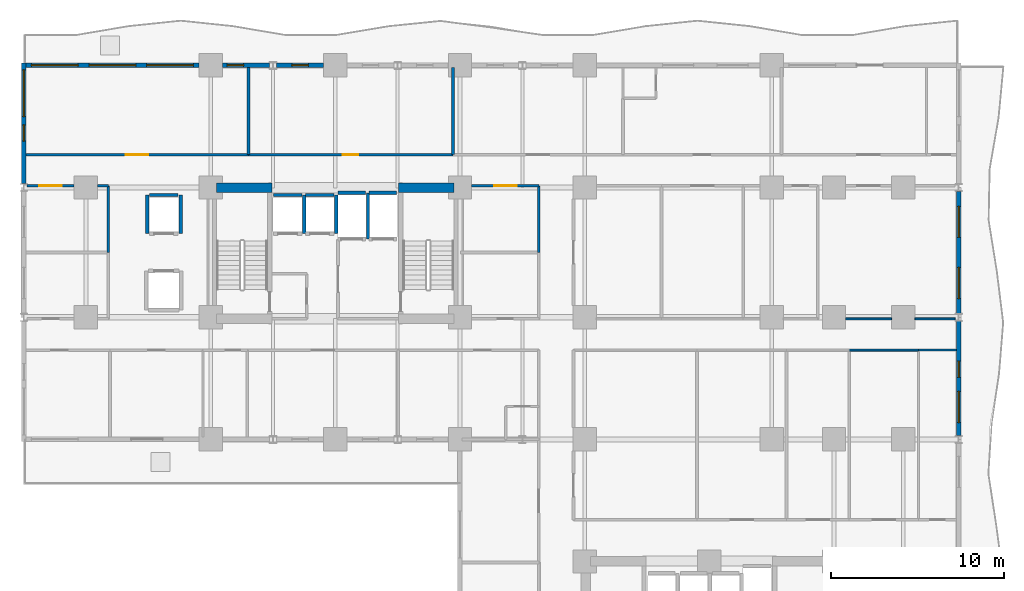
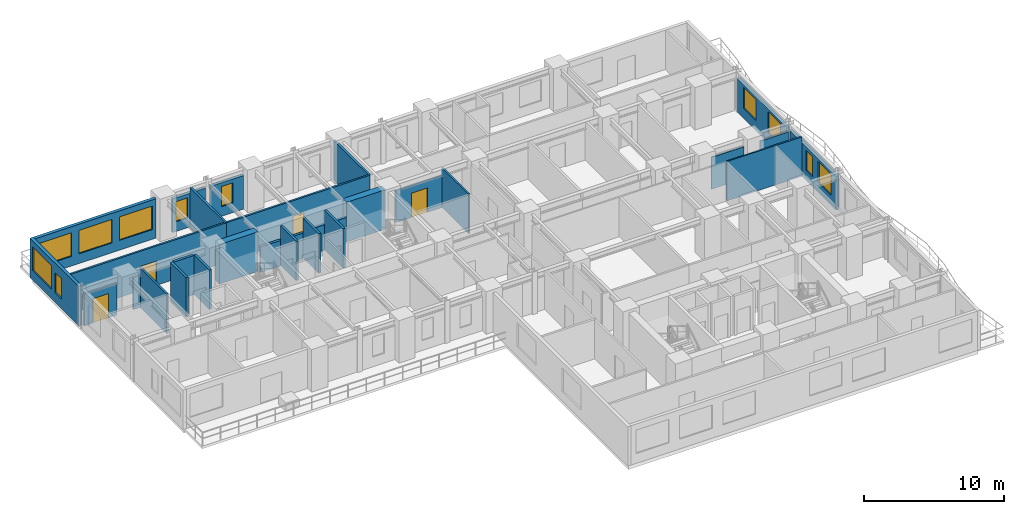
# One storey, part 6 of 11: 31 walls, 11 windows, 4 doors, 15 openings.
"""IFC4 building model written with IfcOpenShell, lengths in metres."""

from ifc_helpers import new_model, si_unit, direction, frame, frame_2d, origin, place, context, subcontext, project, spatial, rectangle, extrude, material, layer, layer_set, type_object, element, fill, save


model = new_model("IFC4")

# Units and contexts
model_context = context("Model", 3, precision=1e-05, world=origin(), true_north=direction((0.0, 1.0)))
body_context = subcontext(model_context, "Body", "Model", "MODEL_VIEW")
ifc_project = project(units=[si_unit("LENGTHUNIT", "METRE"), si_unit("AREAUNIT", "SQUARE_METRE"), si_unit("VOLUMEUNIT", "CUBIC_METRE"), si_unit("PLANEANGLEUNIT", "RADIAN"), si_unit("MASSUNIT", "GRAM", prefix="KILO")], contexts=[model_context])

# Site, building, storey
site_placement = place(None, origin())
site = spatial("IfcSite", under=ifc_project, at=site_placement, CompositionType="ELEMENT")
building_placement = place(site_placement, origin())
building = spatial("IfcBuilding", under=site, at=building_placement, Name="Kaliganga Portal Commons", CompositionType="ELEMENT")
storey_placement = place(building_placement, frame((0.0, 0.0, 25.300048828125)))
storey = spatial("IfcBuildingStorey", under=building, at=storey_placement, Name="L05", CompositionType="ELEMENT", Elevation=25.300048828125)

# Walls
ifc_material_1 = material(Name="Concrete C60/75", Category="concrete")
ifc_layer_1 = layer(ifc_material_1, 0.550048828125)
ifc_layer_set_1 = layer_set([ifc_layer_1], Name="Concrete C60/75")
wall_type_1 = type_object("IfcWallType", Name="WL-CORE-550", PredefinedType="SHEAR", material=ifc_layer_set_1)
for number, where, z_axis, x_axis, name in (
    (1, (14.75, 36.125, 0.0), (0.0, 0.0, 1.0), (1.0, 0.0, 0.0), "Core A N-West Shear Wall L05"),
    (2, (25.25, 36.125, 0.0), (0.0, 0.0, 1.0), (1.0, 0.0, 0.0), "Core A N-East Shear Wall L05"),
):
    element("IfcWall", number, at=place(storey_placement, frame(where, z_axis=z_axis, x_axis=x_axis)), inside=storey, type_object=wall_type_1, Name=name, PredefinedType="SHEAR", context=body_context, shape_type="SweptSolid", body=[
        extrude(rectangle(XDim=3.199951171875, YDim=0.550048828125, at=frame_2d((1.60009765625, 0.0))), origin(), (0.0, 0.0, 1.0), 3.449951171875),
    ])

# Wall, openings, windows
ifc_material_2 = material(Name="Insulated Aluminium-Clad Spandrel Assembly", Category="aluminium")
ifc_layer_2 = layer(ifc_material_2, 0.260009765625)
ifc_layer_set_2 = layer_set([ifc_layer_2], Name="Insulated Aluminium-Clad Spandrel Assembly")
wall_type_2 = type_object("IfcWallType", Name="WL-EXT-SPAND-260", PredefinedType="STANDARD", material=ifc_layer_set_2)
wall_1_placement = place(storey_placement, frame((57.60009765625, 28.426025390625, 0.0), z_axis=(0.0, 0.0, 1.0), x_axis=(0.0, -1.0, 0.0)))
wall_1 = element("IfcWall", 3, at=wall_1_placement, inside=storey, type_object=wall_type_2, Name="Exterior Envelope Wall L05 P1-E01-S4", PredefinedType="STANDARD", context=body_context, shape_type="SweptSolid", body=[
    extrude(rectangle(XDim=6.60205078125, YDim=0.260009765625, at=frame_2d((3.301025390625, 0.0))), origin(), (0.0, 0.0, 1.0), 2.929931640625),
])
opening_1_placement = place(wall_1_placement, frame((4.051513671875, 0.0, 0.85009765625)))
opening_1 = element("IfcOpeningElement", 4, at=opening_1_placement, cuts=wall_1, Name="Opening W-01", PredefinedType="OPENING", context=body_context, shape_type="SweptSolid", body=[
    extrude(rectangle(XDim=1.800048828125, YDim=1.85009765625, at=frame_2d((0.89990234375, 0.925048828125))), frame((0.0, 0.14013671875, 0.0), z_axis=(0.0, -1.0, 0.0), x_axis=(1.0, 0.0, 0.0)), (0.0, 0.0, 1.0), 0.280029296875),
])
opening_2_placement = place(wall_1_placement, frame((2.2978515625, 0.0, 0.85009765625)))
opening_2 = element("IfcOpeningElement", 5, at=opening_2_placement, cuts=wall_1, Name="Opening W-04", PredefinedType="OPENING", context=body_context, shape_type="SweptSolid", body=[
    extrude(rectangle(XDim=0.949951171875, YDim=1.75, at=frame_2d((0.47509765625, 0.875))), frame((0.0, 0.14013671875, 0.0), z_axis=(0.0, -1.0, 0.0), x_axis=(1.0, 0.0, 0.0)), (0.0, 0.0, 1.0), 0.280029296875),
])
ifc_material_3 = material(Name="Thermally Broken Aluminium and Low-E Double Glazing", Category="aluminium")
window_type_1 = type_object("IfcWindowType", Name="WIN-NARROW-950", PartitioningType="SINGLE_PANEL", PredefinedType="WINDOW", material=ifc_material_3)
window_1_placement = place(opening_2_placement, origin())
window_1 = element("IfcWindow", 6, at=window_1_placement, inside=storey, type_object=window_type_1, Name="Facade Window L05-P1E01S4-N5", OverallHeight=1.75, OverallWidth=0.949951171875, PartitioningType="SINGLE_PANEL", PredefinedType="WINDOW", context=body_context, shape_type="SweptSolid", body=[
    extrude(rectangle(XDim=0.949951171875, YDim=1.75, at=frame_2d((0.47509765625, 0.875))), frame((0.0, 0.030029296875, 0.0), z_axis=(0.0, -1.0, 0.0), x_axis=(1.0, 0.0, 0.0)), (0.0, 0.0, 1.0), 0.06005859375),
])
fill(opening_2, window_1)
window_type_2 = type_object("IfcWindowType", Name="WIN-STD-1800", PartitioningType="DOUBLE_PANEL_VERTICAL", PredefinedType="WINDOW", material=ifc_material_3)
window_2_placement = place(opening_1_placement, origin())
window_2 = element("IfcWindow", 7, at=window_2_placement, inside=storey, type_object=window_type_2, Name="Facade Window L05-P1E01S4-01", OverallHeight=1.85009765625, OverallWidth=1.800048828125, PartitioningType="SINGLE_PANEL", PredefinedType="WINDOW", context=body_context, shape_type="SweptSolid", body=[
    extrude(rectangle(XDim=1.800048828125, YDim=1.85009765625, at=frame_2d((0.89990234375, 0.925048828125))), frame((0.0, 0.030029296875, 0.0), z_axis=(0.0, -1.0, 0.0), x_axis=(1.0, 0.0, 0.0)), (0.0, 0.0, 1.0), 0.06005859375),
])
fill(opening_1, window_2)

wall_2_placement = place(storey_placement, frame((57.60009765625, 35.926025390625, 0.0), z_axis=(0.0, 0.0, 1.0), x_axis=(0.0, -1.0, 0.0)))
wall_2 = element("IfcWall", 8, at=wall_2_placement, inside=storey, type_object=wall_type_2, Name="Exterior Envelope Wall L05 P1-E01-S5", PredefinedType="STANDARD", context=body_context, shape_type="SweptSolid", body=[
    extrude(rectangle(XDim=7.052001953125, YDim=0.260009765625, at=frame_2d((3.52587890625, 0.0))), origin(), (0.0, 0.0, 1.0), 2.929931640625),
])
opening_3_placement = place(wall_2_placement, frame((0.863037109375, 0.0, 0.85009765625)))
opening_3 = element("IfcOpeningElement", 9, at=opening_3_placement, cuts=wall_2, Name="Opening W-01", PredefinedType="OPENING", context=body_context, shape_type="SweptSolid", body=[
    extrude(rectangle(XDim=1.800048828125, YDim=1.85009765625, at=frame_2d((0.89990234375, 0.925048828125))), frame((0.0, 0.14013671875, 0.0), z_axis=(0.0, -1.0, 0.0), x_axis=(1.0, 0.0, 0.0)), (0.0, 0.0, 1.0), 0.280029296875),
])
opening_4_placement = place(wall_2_placement, frame((4.388916015625, 0.0, 0.85009765625)))
opening_4 = element("IfcOpeningElement", 10, at=opening_4_placement, cuts=wall_2, Name="Opening W-01", PredefinedType="OPENING", context=body_context, shape_type="SweptSolid", body=[
    extrude(rectangle(XDim=1.800048828125, YDim=1.85009765625, at=frame_2d((0.89990234375, 0.925048828125))), frame((0.0, 0.14013671875, 0.0), z_axis=(0.0, -1.0, 0.0), x_axis=(1.0, 0.0, 0.0)), (0.0, 0.0, 1.0), 0.280029296875),
])
window_3_placement = place(opening_3_placement, origin())
window_3 = element("IfcWindow", 11, at=window_3_placement, inside=storey, type_object=window_type_2, Name="Facade Window L05-P1E01S5-00", OverallHeight=1.85009765625, OverallWidth=1.800048828125, PartitioningType="SINGLE_PANEL", PredefinedType="WINDOW", context=body_context, shape_type="SweptSolid", body=[
    extrude(rectangle(XDim=1.800048828125, YDim=1.85009765625, at=frame_2d((0.89990234375, 0.925048828125))), frame((0.0, 0.030029296875, 0.0), z_axis=(0.0, -1.0, 0.0), x_axis=(1.0, 0.0, 0.0)), (0.0, 0.0, 1.0), 0.06005859375),
])
fill(opening_3, window_3)
window_4_placement = place(opening_4_placement, origin())
window_4 = element("IfcWindow", 12, at=window_4_placement, inside=storey, type_object=window_type_2, Name="Facade Window L05-P1E01S5-01", OverallHeight=1.85009765625, OverallWidth=1.800048828125, PartitioningType="SINGLE_PANEL", PredefinedType="WINDOW", context=body_context, shape_type="SweptSolid", body=[
    extrude(rectangle(XDim=1.800048828125, YDim=1.85009765625, at=frame_2d((0.89990234375, 0.925048828125))), frame((0.0, 0.030029296875, 0.0), z_axis=(0.0, -1.0, 0.0), x_axis=(1.0, 0.0, 0.0)), (0.0, 0.0, 1.0), 0.06005859375),
])
fill(opening_4, window_4)

# Wall, opening, window
wall_3_placement = place(storey_placement, frame((18.208984375, 43.199951171875, 0.0), z_axis=(0.0, 0.0, 1.0), x_axis=(1.0, 0.0, 0.0)))
wall_3 = element("IfcWall", 13, at=wall_3_placement, inside=storey, type_object=wall_type_2, Name="Exterior Envelope Wall L05 P1-E02-S7", PredefinedType="STANDARD", context=body_context, shape_type="SweptSolid", body=[
    extrude(rectangle(XDim=2.715087890625, YDim=0.260009765625, at=frame_2d((1.357421875, 0.0))), origin(), (0.0, 0.0, 1.0), 2.929931640625),
])
opening_5_placement = place(wall_3_placement, frame((0.882568359375, 0.0, 0.85009765625)))
opening_5 = element("IfcOpeningElement", 14, at=opening_5_placement, cuts=wall_3, Name="Opening W-04", PredefinedType="OPENING", context=body_context, shape_type="SweptSolid", body=[
    extrude(rectangle(XDim=0.949951171875, YDim=1.75, at=frame_2d((0.47509765625, 0.875))), frame((0.0, 0.14013671875, 0.0), z_axis=(0.0, -1.0, 0.0), x_axis=(1.0, 0.0, 0.0)), (0.0, 0.0, 1.0), 0.280029296875),
])
window_5_placement = place(opening_5_placement, origin())
window_5 = element("IfcWindow", 15, at=window_5_placement, inside=storey, type_object=window_type_1, Name="Facade Window L05-P1E02S7-00", OverallHeight=1.75, OverallWidth=0.949951171875, PartitioningType="SINGLE_PANEL", PredefinedType="WINDOW", context=body_context, shape_type="SweptSolid", body=[
    extrude(rectangle(XDim=0.949951171875, YDim=1.75, at=frame_2d((0.47509765625, 0.875))), frame((0.0, 0.030029296875, 0.0), z_axis=(0.0, -1.0, 0.0), x_axis=(1.0, 0.0, 0.0)), (0.0, 0.0, 1.0), 0.06005859375),
])
fill(opening_5, window_5)

wall_4_placement = place(storey_placement, frame((15.075927734375, 43.199951171875, 0.0), z_axis=(0.0, 0.0, 1.0), x_axis=(1.0, 0.0, 0.0)))
wall_4 = element("IfcWall", 16, at=wall_4_placement, inside=storey, type_object=wall_type_2, Name="Exterior Envelope Wall L05 P1-E02-S8", PredefinedType="STANDARD", context=body_context, shape_type="SweptSolid", body=[
    extrude(rectangle(XDim=2.715087890625, YDim=0.260009765625, at=frame_2d((1.357421875, 0.0))), origin(), (0.0, 0.0, 1.0), 2.929931640625),
])
opening_6_placement = place(wall_4_placement, frame((0.28515625, 0.0, 0.85009765625)))
opening_6 = element("IfcOpeningElement", 17, at=opening_6_placement, cuts=wall_4, Name="Opening W-04", PredefinedType="OPENING", context=body_context, shape_type="SweptSolid", body=[
    extrude(rectangle(XDim=0.949951171875, YDim=1.75, at=frame_2d((0.47509765625, 0.875))), frame((0.0, 0.14013671875, 0.0), z_axis=(0.0, -1.0, 0.0), x_axis=(1.0, 0.0, 0.0)), (0.0, 0.0, 1.0), 0.280029296875),
])
window_6_placement = place(opening_6_placement, origin())
window_6 = element("IfcWindow", 18, at=window_6_placement, inside=storey, type_object=window_type_1, Name="Facade Window L05-P1E02S8-N3", OverallHeight=1.75, OverallWidth=0.949951171875, PartitioningType="SINGLE_PANEL", PredefinedType="WINDOW", context=body_context, shape_type="SweptSolid", body=[
    extrude(rectangle(XDim=0.949951171875, YDim=1.75, at=frame_2d((0.47509765625, 0.875))), frame((0.0, 0.030029296875, 0.0), z_axis=(0.0, -1.0, 0.0), x_axis=(1.0, 0.0, 0.0)), (0.0, 0.0, 1.0), 0.06005859375),
])
fill(opening_6, window_6)

# Wall, openings, windows
wall_5_placement = place(storey_placement, frame((3.735107421875, 43.199951171875, 0.0), z_axis=(0.0, 0.0, 1.0), x_axis=(1.0, 0.0, 0.0)))
wall_5 = element("IfcWall", 19, at=wall_5_placement, inside=storey, type_object=wall_type_2, Name="Exterior Envelope Wall L05 P1-E02-S9", PredefinedType="STANDARD", context=body_context, shape_type="SweptSolid", body=[
    extrude(rectangle(XDim=9.989013671875, YDim=0.260009765625, at=frame_2d((4.99462890625, 0.0))), origin(), (0.0, 0.0, 1.0), 3.429931640625),
])
opening_7_placement = place(wall_5_placement, frame((0.314697265625, 0.0, 0.85009765625)))
opening_7 = element("IfcOpeningElement", 20, at=opening_7_placement, cuts=wall_5, Name="Opening W-07", PredefinedType="OPENING", context=body_context, shape_type="SweptSolid", body=[
    extrude(rectangle(XDim=2.699951171875, YDim=2.050048828125, at=frame_2d((1.35009765625, 1.02490234375))), frame((0.0, 0.14013671875, 0.0), z_axis=(0.0, -1.0, 0.0), x_axis=(1.0, 0.0, 0.0)), (0.0, 0.0, 1.0), 0.280029296875),
])
opening_8_placement = place(wall_5_placement, frame((3.64453125, 0.0, 0.85009765625)))
opening_8 = element("IfcOpeningElement", 21, at=opening_8_placement, cuts=wall_5, Name="Opening W-07", PredefinedType="OPENING", context=body_context, shape_type="SweptSolid", body=[
    extrude(rectangle(XDim=2.699951171875, YDim=2.050048828125, at=frame_2d((1.35009765625, 1.02490234375))), frame((0.0, 0.14013671875, 0.0), z_axis=(0.0, -1.0, 0.0), x_axis=(1.0, 0.0, 0.0)), (0.0, 0.0, 1.0), 0.280029296875),
])
opening_9_placement = place(wall_5_placement, frame((6.97412109375, 0.0, 0.85009765625)))
opening_9 = element("IfcOpeningElement", 22, at=opening_9_placement, cuts=wall_5, Name="Opening W-07", PredefinedType="OPENING", context=body_context, shape_type="SweptSolid", body=[
    extrude(rectangle(XDim=2.699951171875, YDim=2.050048828125, at=frame_2d((1.35009765625, 1.02490234375))), frame((0.0, 0.14013671875, 0.0), z_axis=(0.0, -1.0, 0.0), x_axis=(1.0, 0.0, 0.0)), (0.0, 0.0, 1.0), 0.280029296875),
])
window_type_3 = type_object("IfcWindowType", Name="WIN-LOUNGE-2700", PartitioningType="TRIPLE_PANEL_VERTICAL", PredefinedType="WINDOW", material=ifc_material_3)
window_7_placement = place(opening_7_placement, origin())
window_7 = element("IfcWindow", 23, at=window_7_placement, inside=storey, type_object=window_type_3, Name="Facade Window L05-P1E02S9-00", OverallHeight=2.050048828125, OverallWidth=2.699951171875, PartitioningType="SINGLE_PANEL", PredefinedType="WINDOW", context=body_context, shape_type="SweptSolid", body=[
    extrude(rectangle(XDim=2.699951171875, YDim=2.050048828125, at=frame_2d((1.35009765625, 1.02490234375))), frame((0.0, 0.030029296875, 0.0), z_axis=(0.0, -1.0, 0.0), x_axis=(1.0, 0.0, 0.0)), (0.0, 0.0, 1.0), 0.06005859375),
])
fill(opening_7, window_7)
window_8_placement = place(opening_8_placement, origin())
window_8 = element("IfcWindow", 24, at=window_8_placement, inside=storey, type_object=window_type_3, Name="Facade Window L05-P1E02S9-01", OverallHeight=2.050048828125, OverallWidth=2.699951171875, PartitioningType="SINGLE_PANEL", PredefinedType="WINDOW", context=body_context, shape_type="SweptSolid", body=[
    extrude(rectangle(XDim=2.699951171875, YDim=2.050048828125, at=frame_2d((1.35009765625, 1.02490234375))), frame((0.0, 0.030029296875, 0.0), z_axis=(0.0, -1.0, 0.0), x_axis=(1.0, 0.0, 0.0)), (0.0, 0.0, 1.0), 0.06005859375),
])
fill(opening_8, window_8)
window_9_placement = place(opening_9_placement, origin())
window_9 = element("IfcWindow", 25, at=window_9_placement, inside=storey, type_object=window_type_3, Name="Facade Window L05-P1E02S9-02", OverallHeight=2.050048828125, OverallWidth=2.699951171875, PartitioningType="SINGLE_PANEL", PredefinedType="WINDOW", context=body_context, shape_type="SweptSolid", body=[
    extrude(rectangle(XDim=2.699951171875, YDim=2.050048828125, at=frame_2d((1.35009765625, 1.02490234375))), frame((0.0, 0.030029296875, 0.0), z_axis=(0.0, -1.0, 0.0), x_axis=(1.0, 0.0, 0.0)), (0.0, 0.0, 1.0), 0.06005859375),
])
fill(opening_9, window_9)

wall_6_placement = place(storey_placement, frame((3.60009765625, 36.3740234375, 0.0), z_axis=(0.0, 0.0, 1.0), x_axis=(0.0, 1.0, 0.0)))
wall_6 = element("IfcWall", 26, at=wall_6_placement, inside=storey, type_object=wall_type_2, Name="Exterior Envelope Wall L05 P1-E03-S1", PredefinedType="STANDARD", context=body_context, shape_type="SweptSolid", body=[
    extrude(rectangle(XDim=6.9560546875, YDim=0.260009765625, at=frame_2d((3.47802734375, 0.0))), origin(), (0.0, 0.0, 1.0), 3.429931640625),
])
opening_10_placement = place(wall_6_placement, frame((3.866943359375, 0.0, 0.85009765625)))
opening_10 = element("IfcOpeningElement", 27, at=opening_10_placement, cuts=wall_6, Name="Opening W-07", PredefinedType="OPENING", context=body_context, shape_type="SweptSolid", body=[
    extrude(rectangle(XDim=2.699951171875, YDim=2.050048828125, at=frame_2d((1.35009765625, 1.02490234375))), frame((0.0, 0.14013671875, 0.0), z_axis=(0.0, -1.0, 0.0), x_axis=(1.0, 0.0, 0.0)), (0.0, 0.0, 1.0), 0.280029296875),
])
opening_11_placement = place(wall_6_placement, frame((2.446533203125, 0.0, 0.85009765625)))
opening_11 = element("IfcOpeningElement", 28, at=opening_11_placement, cuts=wall_6, Name="Opening W-04", PredefinedType="OPENING", context=body_context, shape_type="SweptSolid", body=[
    extrude(rectangle(XDim=0.949951171875, YDim=1.75, at=frame_2d((0.47509765625, 0.875))), frame((0.0, 0.14013671875, 0.0), z_axis=(0.0, -1.0, 0.0), x_axis=(1.0, 0.0, 0.0)), (0.0, 0.0, 1.0), 0.280029296875),
])
window_10_placement = place(opening_10_placement, origin())
window_10 = element("IfcWindow", 29, at=window_10_placement, inside=storey, type_object=window_type_3, Name="Facade Window L05-P1E03S1-01", OverallHeight=2.050048828125, OverallWidth=2.699951171875, PartitioningType="SINGLE_PANEL", PredefinedType="WINDOW", context=body_context, shape_type="SweptSolid", body=[
    extrude(rectangle(XDim=2.699951171875, YDim=2.050048828125, at=frame_2d((1.35009765625, 1.02490234375))), frame((0.0, 0.030029296875, 0.0), z_axis=(0.0, -1.0, 0.0), x_axis=(1.0, 0.0, 0.0)), (0.0, 0.0, 1.0), 0.06005859375),
])
fill(opening_10, window_10)
window_11_placement = place(opening_11_placement, origin())
window_11 = element("IfcWindow", 30, at=window_11_placement, inside=storey, type_object=window_type_1, Name="Facade Window L05-P1E03S1-N5", OverallHeight=1.75, OverallWidth=0.949951171875, PartitioningType="SINGLE_PANEL", PredefinedType="WINDOW", context=body_context, shape_type="SweptSolid", body=[
    extrude(rectangle(XDim=0.949951171875, YDim=1.75, at=frame_2d((0.47509765625, 0.875))), frame((0.0, 0.030029296875, 0.0), z_axis=(0.0, -1.0, 0.0), x_axis=(1.0, 0.0, 0.0)), (0.0, 0.0, 1.0), 0.06005859375),
])
fill(opening_11, window_11)

# Wall, opening, door
ifc_material_4 = material(Name="Fire-Rated Gypsum Board on Steel Stud", Category="steel")
ifc_layer_3 = layer(ifc_material_4, 0.14990234375)
ifc_layer_set_3 = layer_set([ifc_layer_3], Name="Fire-Rated Gypsum Board on Steel Stud")
wall_type_3 = type_object("IfcWallType", Name="WL-PART-CORR-150", PredefinedType="PARTITIONING", material=ifc_layer_set_3)
wall_7_placement = place(storey_placement, frame((3.73193359375, 38.0400390625, 0.0), z_axis=(0.0, 0.0, 1.0), x_axis=(1.0, 0.0, 0.0)))
wall_7 = element("IfcWall", 31, at=wall_7_placement, inside=storey, type_object=wall_type_3, Name="Interior Partition L05-008", PredefinedType="PARTITIONING", context=body_context, shape_type="SweptSolid", body=[
    extrude(rectangle(XDim=12.84814453125, YDim=0.14990234375, at=frame_2d((6.424072265625, 0.0))), origin(), (0.0, 0.0, 1.0), 3.429931640625),
])
opening_12_placement = place(wall_7_placement, frame((5.77392578125, 0.0, 0.0)))
opening_12 = element("IfcOpeningElement", 32, at=opening_12_placement, cuts=wall_7, Name="Opening RD-03", PredefinedType="OPENING", context=body_context, shape_type="SweptSolid", body=[
    extrude(rectangle(XDim=1.300048828125, YDim=2.1201171875, at=frame_2d((0.64990234375, 1.06005859375))), frame((0.0, 0.0849609375, 0.0), z_axis=(0.0, -1.0, 0.0), x_axis=(1.0, 0.0, 0.0)), (0.0, 0.0, 1.0), 0.169921875),
])
ifc_material_5 = material(Name="Glazed Timber Seminar Vision Door", Category="wood")
door_type_1 = type_object("IfcDoorType", Name="DR-STUDY-1300", OperationType="DOUBLE_DOOR_SINGLE_SWING", PredefinedType="DOOR", material=ifc_material_5)
door_1_placement = place(opening_12_placement, origin())
door_1 = element("IfcDoor", 33, at=door_1_placement, inside=storey, type_object=door_type_1, Name="Interior Door L05-AN01", OperationType="DOUBLE_DOOR_SINGLE_SWING", OverallHeight=2.1201171875, OverallWidth=1.300048828125, PredefinedType="DOOR", context=body_context, shape_type="SweptSolid", body=[
    extrude(rectangle(XDim=1.300048828125, YDim=2.1201171875, at=frame_2d((0.64990234375, 1.06005859375))), frame((0.0, 0.02490234375, 0.0), z_axis=(0.0, -1.0, 0.0), x_axis=(1.0, 0.0, 0.0)), (0.0, 0.0, 1.0), 0.050048828125),
])
fill(opening_12, door_1)

wall_8_placement = place(storey_placement, frame((16.580078125, 38.0400390625, 0.0), z_axis=(0.0, 0.0, 1.0), x_axis=(1.0, 0.0, 0.0)))
wall_8 = element("IfcWall", 34, at=wall_8_placement, inside=storey, type_object=wall_type_3, Name="Interior Partition L05-010", PredefinedType="PARTITIONING", context=body_context, shape_type="SweptSolid", body=[
    extrude(rectangle(XDim=11.81982421875, YDim=0.14990234375, at=frame_2d((5.909912109375, 0.0))), origin(), (0.0, 0.0, 1.0), 3.429931640625),
])
opening_13_placement = place(wall_8_placement, frame((5.4599609375, 0.0, 0.0)))
opening_13 = element("IfcOpeningElement", 35, at=opening_13_placement, cuts=wall_8, Name="Opening RD-01", PredefinedType="OPENING", context=body_context, shape_type="SweptSolid", body=[
    extrude(rectangle(XDim=0.89990234375, YDim=2.080078125, at=frame_2d((0.449951171875, 1.0400390625))), frame((0.0, 0.0849609375, 0.0), z_axis=(0.0, -1.0, 0.0), x_axis=(1.0, 0.0, 0.0)), (0.0, 0.0, 1.0), 0.169921875),
])
ifc_material_6 = material(Name="Engineered Timber Flush Door", Category="wood")
door_type_2 = type_object("IfcDoorType", Name="DR-ROOM-900", OperationType="NOTDEFINED", PredefinedType="DOOR", material=ifc_material_6)
door_2_placement = place(opening_13_placement, origin())
door_2 = element("IfcDoor", 36, at=door_2_placement, inside=storey, type_object=door_type_2, Name="Interior Door L05-AN02", OperationType="SINGLE_SWING_LEFT", OverallHeight=2.080078125, OverallWidth=0.89990234375, PredefinedType="DOOR", context=body_context, shape_type="SweptSolid", body=[
    extrude(rectangle(XDim=0.89990234375, YDim=2.080078125, at=frame_2d((0.449951171875, 1.0400390625))), frame((0.0, 0.02490234375, 0.0), z_axis=(0.0, -1.0, 0.0), x_axis=(1.0, 0.0, 0.0)), (0.0, 0.0, 1.0), 0.050048828125),
])
fill(opening_13, door_2)

wall_9_placement = place(storey_placement, frame((3.80810546875, 36.239990234375, 0.0), z_axis=(0.0, 0.0, 1.0), x_axis=(1.0, 0.0, 0.0)))
wall_9 = element("IfcWall", 37, at=wall_9_placement, inside=storey, type_object=wall_type_3, Name="Interior Partition L05-036", PredefinedType="PARTITIONING", context=body_context, shape_type="SweptSolid", body=[
    extrude(rectangle(XDim=2.716796875, YDim=0.14990234375, at=frame_2d((1.3583984375, 0.0))), origin(), (0.0, 0.0, 1.0), 2.780029296875),
])
opening_14_placement = place(wall_9_placement, frame((0.70849609375, 0.0, 0.0)))
opening_14 = element("IfcOpeningElement", 38, at=opening_14_placement, cuts=wall_9, Name="Opening RD-03", PredefinedType="OPENING", context=body_context, shape_type="SweptSolid", body=[
    extrude(rectangle(XDim=1.300048828125, YDim=2.1201171875, at=frame_2d((0.64990234375, 1.06005859375))), frame((0.0, 0.0849609375, 0.0), z_axis=(0.0, -1.0, 0.0), x_axis=(1.0, 0.0, 0.0)), (0.0, 0.0, 1.0), 0.169921875),
])
door_3_placement = place(opening_14_placement, origin())
door_3 = element("IfcDoor", 39, at=door_3_placement, inside=storey, type_object=door_type_1, Name="Interior Door L05-AW02", OperationType="DOUBLE_DOOR_SINGLE_SWING", OverallHeight=2.1201171875, OverallWidth=1.300048828125, PredefinedType="DOOR", context=body_context, shape_type="SweptSolid", body=[
    extrude(rectangle(XDim=1.300048828125, YDim=2.1201171875, at=frame_2d((0.64990234375, 1.06005859375))), frame((0.0, 0.02490234375, 0.0), z_axis=(0.0, -1.0, 0.0), x_axis=(1.0, 0.0, 0.0)), (0.0, 0.0, 1.0), 0.050048828125),
])
fill(opening_14, door_3)

# Wall
wall_10_placement = place(storey_placement, frame((7.875, 36.239990234375, 0.0), z_axis=(0.0, 0.0, 1.0), x_axis=(1.0, 0.0, 0.0)))
element("IfcWall", 40, at=wall_10_placement, inside=storey, type_object=wall_type_3, Name="Interior Partition L05-037", PredefinedType="PARTITIONING", context=body_context, shape_type="SweptSolid", body=[
    extrude(rectangle(XDim=0.625, YDim=0.14990234375, at=frame_2d((0.3125, 0.0))), origin(), (0.0, 0.0, 1.0), 2.780029296875),
])

# Wall, opening, door
wall_11_placement = place(storey_placement, frame((29.47509765625, 36.239990234375, 0.0), z_axis=(0.0, 0.0, 1.0), x_axis=(1.0, 0.0, 0.0)))
wall_11 = element("IfcWall", 41, at=wall_11_placement, inside=storey, type_object=wall_type_3, Name="Interior Partition L05-041", PredefinedType="PARTITIONING", context=body_context, shape_type="SweptSolid", body=[
    extrude(rectangle(XDim=3.885009765625, YDim=0.14990234375, at=frame_2d((1.9423828125, 0.0))), origin(), (0.0, 0.0, 1.0), 2.780029296875),
])
opening_15_placement = place(wall_11_placement, frame((1.29248046875, 0.0, 0.0)))
opening_15 = element("IfcOpeningElement", 42, at=opening_15_placement, cuts=wall_11, Name="Opening RD-03", PredefinedType="OPENING", context=body_context, shape_type="SweptSolid", body=[
    extrude(rectangle(XDim=1.300048828125, YDim=2.1201171875, at=frame_2d((0.64990234375, 1.06005859375))), frame((0.0, 0.0849609375, 0.0), z_axis=(0.0, -1.0, 0.0), x_axis=(1.0, 0.0, 0.0)), (0.0, 0.0, 1.0), 0.169921875),
])
door_4_placement = place(opening_15_placement, origin())
door_4 = element("IfcDoor", 43, at=door_4_placement, inside=storey, type_object=door_type_1, Name="Interior Door L05-CSRV_A2", OperationType="DOUBLE_DOOR_SINGLE_SWING", OverallHeight=2.1201171875, OverallWidth=1.300048828125, PredefinedType="DOOR", context=body_context, shape_type="SweptSolid", body=[
    extrude(rectangle(XDim=1.300048828125, YDim=2.1201171875, at=frame_2d((0.64990234375, 1.06005859375))), frame((0.0, 0.02490234375, 0.0), z_axis=(0.0, -1.0, 0.0), x_axis=(1.0, 0.0, 0.0)), (0.0, 0.0, 1.0), 0.050048828125),
])
fill(opening_15, door_4)

# Walls
for number, where, z_axis, x_axis, name in (
    (44, (8.5, 32.39990234375, 0.0), (0.0, 0.0, 1.0), (0.0, 1.0, 0.0), "Interior Partition L05-045"),
    (45, (33.360107421875, 32.39990234375, 0.0), (0.0, 0.0, 1.0), (0.0, 1.0, 0.0), "Interior Partition L05-046"),
):
    element("IfcWall", number, at=place(storey_placement, frame(where, z_axis=z_axis, x_axis=x_axis)), inside=storey, type_object=wall_type_3, Name=name, PredefinedType="PARTITIONING", context=body_context, shape_type="SweptSolid", body=[
        extrude(rectangle(XDim=3.840087890625, YDim=0.14990234375, at=frame_2d((1.919921875, 0.0))), origin(), (0.0, 0.0, 1.0), 3.429931640625),
    ])
ifc_material_7 = material(Name="Moisture-Resistant Gypsum Partition", Category="gypsum")
ifc_layer_4 = layer(ifc_material_7, 0.114990234375)
ifc_layer_set_4 = layer_set([ifc_layer_4], Name="Moisture-Resistant Gypsum Partition")
wall_type_4 = type_object("IfcWallType", Name="WL-PART-ROOM-115", PredefinedType="PARTITIONING", material=ifc_layer_set_4)
wall_12_placement = place(storey_placement, frame((51.074951171875, 28.56005859375, 0.0), z_axis=(0.0, 0.0, 1.0), x_axis=(1.0, 0.0, 0.0)))
element("IfcWall", 46, at=wall_12_placement, inside=storey, type_object=wall_type_4, Name="Interior Partition L05-061", PredefinedType="PARTITIONING", context=body_context, shape_type="SweptSolid", body=[
    extrude(rectangle(XDim=2.650146484375, YDim=0.114990234375, at=frame_2d((1.3251953125, 0.0))), origin(), (0.0, 0.0, 1.0), 2.780029296875),
])
wall_13_placement = place(storey_placement, frame((55.074951171875, 28.56005859375, 0.0), z_axis=(0.0, 0.0, 1.0), x_axis=(1.0, 0.0, 0.0)))
element("IfcWall", 47, at=wall_13_placement, inside=storey, type_object=wall_type_4, Name="Interior Partition L05-062", PredefinedType="PARTITIONING", context=body_context, shape_type="SweptSolid", body=[
    extrude(rectangle(XDim=2.317138671875, YDim=0.114990234375, at=frame_2d((1.15869140625, 0.0))), origin(), (0.0, 0.0, 1.0), 2.780029296875),
])
wall_14_placement = place(storey_placement, frame((51.280029296875, 26.760009765625, 0.0), z_axis=(0.0, 0.0, 1.0), x_axis=(1.0, 0.0, 0.0)))
element("IfcWall", 48, at=wall_14_placement, inside=storey, type_object=wall_type_4, Name="Interior Partition L05-084", PredefinedType="PARTITIONING", context=body_context, shape_type="SweptSolid", body=[
    extrude(rectangle(XDim=4.0, YDim=0.114990234375, at=frame_2d((2.0, 0.0))), origin(), (0.0, 0.0, 1.0), 3.429931640625),
])
ifc_material_8 = material(Name="Twin-Stud Acoustic Gypsum Partition", Category="gypsum")
ifc_layer_5 = layer(ifc_material_8, 0.1650390625)
ifc_layer_set_5 = layer_set([ifc_layer_5], Name="Twin-Stud Acoustic Gypsum Partition")
wall_type_5 = type_object("IfcWallType", Name="WL-PART-UNIT-165", PredefinedType="PARTITIONING", material=ifc_layer_set_5)
for number, where, z_axis, x_axis, name in (
    (49, (16.580078125, 38.0400390625, 0.0), (0.0, 0.0, 1.0), (0.0, 1.0, 0.0), "Interior Partition L05-067"),
    (50, (28.39990234375, 38.0400390625, 0.0), (0.0, 0.0, 1.0), (0.0, 1.0, 0.0), "Interior Partition L05-068"),
):
    element("IfcWall", number, at=place(storey_placement, frame(where, z_axis=z_axis, x_axis=x_axis)), inside=storey, type_object=wall_type_5, Name=name, PredefinedType="PARTITIONING", context=body_context, shape_type="SweptSolid", body=[
        extrude(rectangle(XDim=5.028076171875, YDim=0.1650390625, at=frame_2d((2.51416015625, 0.0))), origin(), (0.0, 0.0, 1.0), 3.429931640625),
    ])
ifc_material_9 = material(Name="Cement-Board Wet-Room Partition", Category="gypsum")
ifc_layer_6 = layer(ifc_material_9, 0.135009765625)
ifc_layer_set_6 = layer_set([ifc_layer_6], Name="Cement-Board Wet-Room Partition")
wall_type_6 = type_object("IfcWallType", Name="WL-PART-WET-135", PredefinedType="PARTITIONING", material=ifc_layer_set_6)
wall_15_placement = place(storey_placement, frame((55.280029296875, 26.760009765625, 0.0), z_axis=(0.0, 0.0, 1.0), x_axis=(1.0, 0.0, 0.0)))
element("IfcWall", 51, at=wall_15_placement, inside=storey, type_object=wall_type_6, Name="Interior Partition L05-091", PredefinedType="PARTITIONING", context=body_context, shape_type="SweptSolid", body=[
    extrude(rectangle(XDim=2.18798828125, YDim=0.135009765625, at=frame_2d((1.093994140625, 0.0))), origin(), (0.0, 0.0, 1.0), 3.429931640625),
])
ifc_material_10 = material(Name="Fire-Rated Shaftwall Masonry Assembly", Category="masonry")
ifc_layer_7 = layer(ifc_material_10, 0.199951171875)
ifc_layer_set_7 = layer_set([ifc_layer_7], Name="Fire-Rated Shaftwall Masonry Assembly")
wall_type_7 = type_object("IfcWallType", Name="WL-SHAFT-200", PredefinedType="PARTITIONING", material=ifc_layer_set_7)
wall_16_placement = place(storey_placement, frame((18.02490234375, 35.715087890625, 0.0), z_axis=(0.0, 0.0, 1.0), x_axis=(1.0, 0.0, 0.0)))
element("IfcWall", 52, at=wall_16_placement, inside=storey, type_object=wall_type_7, Name="Lift PL-A1 Hoistway Shaft Wall L05-N", PredefinedType="PARTITIONING", context=body_context, shape_type="SweptSolid", body=[
    extrude(rectangle(XDim=1.650146484375, YDim=0.199951171875, at=frame_2d((0.8251953125, 0.0))), origin(), (0.0, 0.0, 1.0), 2.22998046875),
])
wall_17_placement = place(storey_placement, frame((19.81494140625, 33.485107421875, 0.0), z_axis=(0.0, 0.0, 1.0), x_axis=(0.0, 1.0, 0.0)))
element("IfcWall", 53, at=wall_17_placement, inside=storey, type_object=wall_type_7, Name="Lift PL-A1 Hoistway Shaft Wall L05-E", PredefinedType="PARTITIONING", context=body_context, shape_type="SweptSolid", body=[
    extrude(rectangle(XDim=2.22998046875, YDim=0.199951171875, at=frame_2d((1.114990234375, 0.0))), origin(), (0.0, 0.0, 1.0), 3.429931640625),
])
wall_18_placement = place(storey_placement, frame((19.875, 35.715087890625, 0.0), z_axis=(0.0, 0.0, 1.0), x_axis=(1.0, 0.0, 0.0)))
element("IfcWall", 54, at=wall_18_placement, inside=storey, type_object=wall_type_7, Name="Lift PL-A2 Hoistway Shaft Wall L05-N", PredefinedType="PARTITIONING", context=body_context, shape_type="SweptSolid", body=[
    extrude(rectangle(XDim=1.64990234375, YDim=0.199951171875, at=frame_2d((0.824951171875, 0.0))), origin(), (0.0, 0.0, 1.0), 2.22998046875),
])
wall_19_placement = place(storey_placement, frame((21.6650390625, 33.485107421875, 0.0), z_axis=(0.0, 0.0, 1.0), x_axis=(0.0, 1.0, 0.0)))
element("IfcWall", 55, at=wall_19_placement, inside=storey, type_object=wall_type_7, Name="Lift PL-A2 Hoistway Shaft Wall L05-E", PredefinedType="PARTITIONING", context=body_context, shape_type="SweptSolid", body=[
    extrude(rectangle(XDim=2.22998046875, YDim=0.199951171875, at=frame_2d((1.114990234375, 0.0))), origin(), (0.0, 0.0, 1.0), 3.429931640625),
])
wall_20_placement = place(storey_placement, frame((10.875, 35.715087890625, 0.0), z_axis=(0.0, 0.0, 1.0), x_axis=(1.0, 0.0, 0.0)))
element("IfcWall", 56, at=wall_20_placement, inside=storey, type_object=wall_type_7, Name="Lift PL-OBS Hoistway Shaft Wall L05-N", PredefinedType="PARTITIONING", context=body_context, shape_type="SweptSolid", body=[
    extrude(rectangle(XDim=1.64990234375, YDim=0.199951171875, at=frame_2d((0.824951171875, 0.0))), origin(), (0.0, 0.0, 1.0), 3.429931640625),
])
for number, where, z_axis, x_axis, name in (
    (57, (10.735107421875, 33.485107421875, 0.0), (0.0, 0.0, 1.0), (0.0, 1.0, 0.0), "Lift PL-OBS Hoistway Shaft Wall L05-W"),
    (58, (12.6650390625, 33.485107421875, 0.0), (0.0, 0.0, 1.0), (0.0, 1.0, 0.0), "Lift PL-OBS Hoistway Shaft Wall L05-E"),
):
    element("IfcWall", number, at=place(storey_placement, frame(where, z_axis=z_axis, x_axis=x_axis)), inside=storey, type_object=wall_type_7, Name=name, PredefinedType="PARTITIONING", context=body_context, shape_type="SweptSolid", body=[
        extrude(rectangle(XDim=2.22998046875, YDim=0.199951171875, at=frame_2d((1.114990234375, 0.0))), origin(), (0.0, 0.0, 1.0), 3.429931640625),
    ])
wall_21_placement = place(storey_placement, frame((21.75, 35.840087890625, 0.0), z_axis=(0.0, 0.0, 1.0), x_axis=(1.0, 0.0, 0.0)))
element("IfcWall", 59, at=wall_21_placement, inside=storey, type_object=wall_type_7, Name="Lift FFL-1 Hoistway Shaft Wall L05-N", PredefinedType="PARTITIONING", context=body_context, shape_type="SweptSolid", body=[
    extrude(rectangle(XDim=1.60009765625, YDim=0.199951171875, at=frame_2d((0.800048828125, 0.0))), origin(), (0.0, 0.0, 1.0), 2.22998046875),
])
wall_22_placement = place(storey_placement, frame((23.489990234375, 33.159912109375, 0.0), z_axis=(0.0, 0.0, 1.0), x_axis=(0.0, 1.0, 0.0)))
element("IfcWall", 60, at=wall_22_placement, inside=storey, type_object=wall_type_7, Name="Lift FFL-1 Hoistway Shaft Wall L05-E", PredefinedType="PARTITIONING", context=body_context, shape_type="SweptSolid", body=[
    extrude(rectangle(XDim=2.68017578125, YDim=0.199951171875, at=frame_2d((1.340087890625, 0.0))), origin(), (0.0, 0.0, 1.0), 3.429931640625),
])
wall_23_placement = place(storey_placement, frame((23.550048828125, 35.840087890625, 0.0), z_axis=(0.0, 0.0, 1.0), x_axis=(1.0, 0.0, 0.0)))
element("IfcWall", 61, at=wall_23_placement, inside=storey, type_object=wall_type_7, Name="Lift FFL-2 Hoistway Shaft Wall L05-N", PredefinedType="PARTITIONING", context=body_context, shape_type="SweptSolid", body=[
    extrude(rectangle(XDim=1.599853515625, YDim=0.199951171875, at=frame_2d((0.7998046875, 0.0))), origin(), (0.0, 0.0, 1.0), 2.22998046875),
])

save(model, "model.ifc")
